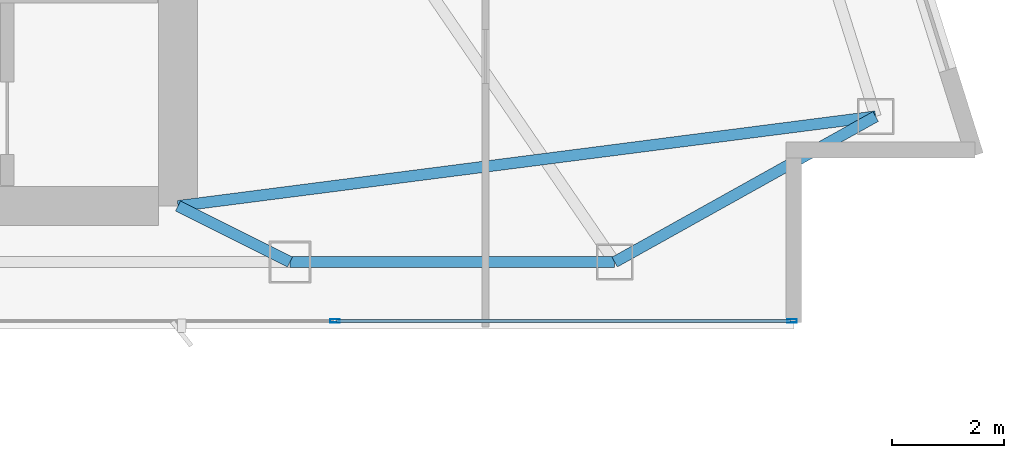
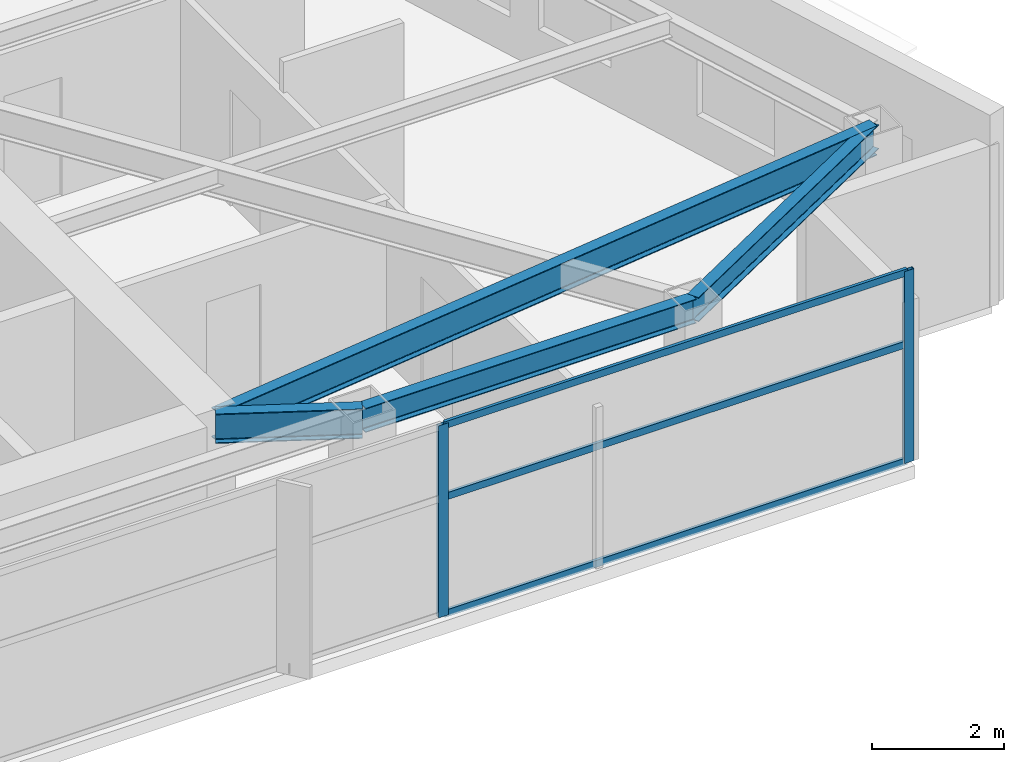
# One storey, part 14 of 29: 5 members, 4 beams, 1 element without a shape of its own.
"""IFC4 building model written with IfcOpenShell, lengths in metres."""

import ifcopenshell
import ifcopenshell.guid

model = None  # the IFC model being written
_history = None  # IfcOwnerHistory: only IFC2X3 demands one
_inside = {}  # id of a spatial element -> (the spatial element, [elements in it])
_under = {}  # id of a project, library or spatial element -> (it, [spatial elements below it])
_declared = {}  # id of a project -> (the project, [libraries it declares])
_typed = {}  # id of a type object -> (the type object, [elements of that type])
_made_of = {}  # id of a material, layer set ... -> (it, [elements and type objects made of it])


def new_model(schema):
    """Start an empty IFC model of exactly this schema.

    Asked for "IFC4X3", IfcOpenShell would pick the latest addendum, in which some entities
    have other attributes; the version numbers below select the first issue.
    IFC2X3 requires an IfcOwnerHistory on every rooted entity: one is made here for all.
    """
    global model, _history
    if schema == "IFC4X3":
        model = ifcopenshell.file(schema_version=(4, 3, 0, 0))
    else:
        model = ifcopenshell.file(schema=schema)
    _inside.clear()
    _under.clear()
    _declared.clear()
    _typed.clear()
    _made_of.clear()
    _history = None
    if model.schema == "IFC2X3":
        org = make("IfcOrganization", Name="unknown")
        user = make(
            "IfcPersonAndOrganization",
            ThePerson=make("IfcPerson", FamilyName="unknown"),
            TheOrganization=org,
        )
        app = make(
            "IfcApplication",
            ApplicationDeveloper=org,
            Version="unknown",
            ApplicationFullName="unknown",
            ApplicationIdentifier="unknown",
        )
        _history = make(
            "IfcOwnerHistory",
            OwningUser=user,
            OwningApplication=app,
            ChangeAction="ADDED",
            CreationDate=0,
        )
    return model


def make(cls, **values):
    """One entity of the class cls with the attributes given. An attribute that is None is left unset."""
    return model.create_entity(
        cls, **{name: value for name, value in values.items() if value is not None}
    )


def rooted(cls, **values):
    """An entity with a GlobalId (a new one), such as an element, a storey or a relation."""
    return make(cls, GlobalId=ifcopenshell.guid.new(), OwnerHistory=_history, **values)


def si_unit(unit_type, name, prefix=None):
    """IfcSIUnit, for example si_unit("LENGTHUNIT", "METRE", prefix="MILLI")."""
    return make("IfcSIUnit", UnitType=unit_type, Prefix=prefix, Name=name)


def assignment(units):
    """IfcUnitAssignment: the units of a project."""
    return None if units is None else make("IfcUnitAssignment", Units=units)


def point(xyz):
    """IfcCartesianPoint."""
    return None if xyz is None else make("IfcCartesianPoint", Coordinates=xyz)


def direction(xyz):
    """IfcDirection."""
    return None if xyz is None else make("IfcDirection", DirectionRatios=xyz)


def frame(location, z_axis=None, x_axis=None):
    """IfcAxis2Placement3D, a coordinate frame: its origin and axes. An axis left out is left unset."""
    return make(
        "IfcAxis2Placement3D",
        Location=point(location),
        Axis=direction(z_axis),
        RefDirection=direction(x_axis),
    )


def frame_2d(location, x_axis=None):
    """IfcAxis2Placement2D, a coordinate frame in the plane: its origin and x axis."""
    return make(
        "IfcAxis2Placement2D", Location=point(location), RefDirection=direction(x_axis)
    )


def origin():
    """The frame at (0, 0, 0) with its axes left unset."""
    return frame((0.0, 0.0, 0.0))


def origin_2d():
    """The frame at (0, 0) in the plane with its x axis left unset."""
    return frame_2d((0.0, 0.0))


def place(relative_to, where):
    """IfcLocalPlacement: puts the frame where relative to a parent placement (None: the world)."""
    return make(
        "IfcLocalPlacement", PlacementRelTo=relative_to, RelativePlacement=where
    )


def context(
    kind, dimensions, precision=None, world=None, true_north=None, identifier=None
):
    """IfcGeometricRepresentationContext, for example the 3D "Model" context."""
    return make(
        "IfcGeometricRepresentationContext",
        ContextIdentifier=identifier,
        ContextType=kind,
        CoordinateSpaceDimension=dimensions,
        Precision=precision,
        WorldCoordinateSystem=world,
        TrueNorth=true_north,
    )


def subcontext(parent, identifier, kind, view, scale=None):
    """IfcGeometricRepresentationSubContext, for example "Body" below "Model"."""
    return make(
        "IfcGeometricRepresentationSubContext",
        ContextIdentifier=identifier,
        ContextType=kind,
        ParentContext=parent,
        TargetScale=scale,
        TargetView=view,
    )


def project(units=None, contexts=None):
    """IfcProject with its units and contexts."""
    return rooted(
        "IfcProject",
        Name="project",
        RepresentationContexts=contexts,
        UnitsInContext=assignment(units),
    )


def spatial(cls, under=None, at=None, **own):
    """A site, building, storey or space (cls), placed at a placement, below another one or the project."""
    s = rooted(cls, ObjectPlacement=at, **own)
    if under is not None:
        _under.setdefault(under.id(), (under, []))[1].append(s)
    return s


def profile(cls, at=None, kind="AREA", **sizes):
    """A parametric profile (cls). Its sizes go by their IFC names, for example OverallWidth=200.0."""
    return make(cls, ProfileType=kind, Position=at, **sizes)


def hollow_rectangle(**sizes):
    """IfcRectangleHollowProfileDef."""
    return profile("IfcRectangleHollowProfileDef", **sizes)


def i_section(**sizes):
    """IfcIShapeProfileDef."""
    return profile("IfcIShapeProfileDef", **sizes)


def extrude(swept, where, along, depth):
    """IfcExtrudedAreaSolid: the profile swept, set in the frame where, extruded along a direction by depth."""
    return make(
        "IfcExtrudedAreaSolid",
        SweptArea=swept,
        Position=where,
        ExtrudedDirection=direction(along),
        Depth=depth,
    )


def shape(context_of_items, identifier, shape_type, items):
    """IfcShapeRepresentation: the items that make up one representation, for example the "Body"."""
    return make(
        "IfcShapeRepresentation",
        ContextOfItems=context_of_items,
        RepresentationIdentifier=identifier,
        RepresentationType=shape_type,
        Items=items,
    )


def material(Name=None, Category=None):
    """IfcMaterial."""
    return make("IfcMaterial", Name=Name, Category=Category)


def layer(
    of_material, thickness, ventilated=None, Name=None, Category=None, Priority=None
):
    """IfcMaterialLayer: one layer of a wall or slab, of a material (None: an air gap)."""
    return make(
        "IfcMaterialLayer",
        Material=of_material,
        LayerThickness=thickness,
        IsVentilated=ventilated,
        Name=Name,
        Category=Category,
        Priority=Priority,
    )


def layer_set(layers, Name=None):
    """IfcMaterialLayerSet."""
    return make("IfcMaterialLayerSet", MaterialLayers=layers, LayerSetName=Name)


def material_profile(
    of_material, cross_section, Name=None, Category=None, Priority=None
):
    """IfcMaterialProfile: a cross section and its material."""
    return make(
        "IfcMaterialProfile",
        Name=Name,
        Material=of_material,
        Profile=cross_section,
        Priority=Priority,
        Category=Category,
    )


def profile_set(profiles, Name=None, composite=None):
    """IfcMaterialProfileSet."""
    return make(
        "IfcMaterialProfileSet",
        Name=Name,
        MaterialProfiles=profiles,
        CompositeProfile=composite,
    )


def made_of(thing, what):
    """Note that an element or type object is made of a material, layer set ...; save() writes the relation."""
    if what is not None:
        _made_of.setdefault(what.id(), (what, []))[1].append(thing)
    return thing


def type_object(cls, material=None, **own):
    """A type object (cls), such as IfcWallType, which elements share."""
    return made_of(rooted(cls, **own), material)


def element(
    cls,
    number,
    at=None,
    inside=None,
    cuts=None,
    type_object=None,
    material=None,
    context=None,
    identifier="Body",
    shape_type=None,
    held_by="IfcProductDefinitionShape",
    body=None,
    shapes=None,
    **own,
):
    """One element of the class cls, such as IfcWall. Its Tag is "e" and its number.

    at: its placement. inside: the storey or other place that contains it. cuts: it is an
    opening in that element (IfcRelVoidsElement). A single representation is given by context,
    identifier, shape_type and body (its items); several are given by shapes. held_by: the class
    of the entity that holds the representations. save() writes the other relations.
    """
    e = rooted(cls, Tag="e%d" % number, ObjectPlacement=at, **own)
    if body is not None:
        shapes = [shape(context, identifier, shape_type, body)]
    if shapes is not None:
        e.Representation = make(held_by, Representations=shapes)
    if inside is not None:
        _inside.setdefault(inside.id(), (inside, []))[1].append(e)
    if cuts is not None:
        rooted(
            "IfcRelVoidsElement", RelatingBuildingElement=cuts, RelatedOpeningElement=e
        )
    if type_object is not None:
        _typed.setdefault(type_object.id(), (type_object, []))[1].append(e)
    return made_of(e, material)


def aggregate(whole, parts):
    """IfcRelAggregates: a whole, such as a stair, and the parts it consists of."""
    return rooted("IfcRelAggregates", RelatingObject=whole, RelatedObjects=parts)


def save(model, path):
    """Write the relations noted so far, then the file.

    IfcRelAggregates (storeys below a building ...), IfcRelContainedInSpatialStructure (elements
    in a storey), IfcRelDefinesByType, IfcRelAssociatesMaterial and IfcRelDeclares: one each for
    every whole, place, type object, material and project.
    """
    for whole, parts in _under.values():
        aggregate(whole, parts)
    for where, things in _inside.values():
        rooted(
            "IfcRelContainedInSpatialStructure",
            RelatedElements=things,
            RelatingStructure=where,
        )
    for kind, things in _typed.values():
        rooted("IfcRelDefinesByType", RelatedObjects=things, RelatingType=kind)
    for what, things in _made_of.values():
        rooted("IfcRelAssociatesMaterial", RelatedObjects=things, RelatingMaterial=what)
    for by, libraries in _declared.values():
        rooted("IfcRelDeclares", RelatingContext=by, RelatedDefinitions=libraries)
    model.write(path)


model = new_model("IFC4")

# Units and contexts
model_context = context("Model", 3, precision=1e-05, world=origin(), true_north=direction((0.0, 1.0)))
body_context = subcontext(model_context, "Body", "Model", "MODEL_VIEW")
ifc_project = project(units=[si_unit("LENGTHUNIT", "METRE"), si_unit("AREAUNIT", "SQUARE_METRE"), si_unit("VOLUMEUNIT", "CUBIC_METRE"), si_unit("PLANEANGLEUNIT", "RADIAN"), si_unit("MASSUNIT", "GRAM", prefix="KILO")], contexts=[model_context])

# Site, building, storey
site_placement = place(None, origin())
site = spatial("IfcSite", under=ifc_project, at=site_placement, CompositionType="ELEMENT")
building_placement = place(site_placement, origin())
building = spatial("IfcBuilding", under=site, at=building_placement, Name="Calvorn Quay Hotel", CompositionType="ELEMENT")
storey_placement = place(building_placement, frame((0.0, 0.0, 255.199951171875)))
storey = spatial("IfcBuildingStorey", under=building, at=storey_placement, Name="L63", CompositionType="ELEMENT", Elevation=255.199951171875)

# Beams
ifc_material_1 = material(Name="Steel Q355B", Category="steel")
ifc_material_profile_1 = material_profile(ifc_material_1, i_section(OverallWidth=0.199951171875, OverallDepth=0.550048828125, WebThickness=0.010009765625, FlangeThickness=0.01611328125, FilletRadius=0.01806640625, at=origin_2d()), Name="HN550x200x10x16")
ifc_profile_set_1 = profile_set([ifc_material_profile_1], Name="Steel Q355B")
beam_type_1 = type_object("IfcBeamType", Name="BM-GIRD-UPP", PredefinedType="BEAM", material=ifc_profile_set_1)
beam_1_placement = place(storey_placement, frame((34.39990234375, 3.60009765625, 3.26513671875), z_axis=(-0.894427191, 0.4472135955, 0.0), x_axis=(-0.4472135955, -0.894427191, 0.0)))
element("IfcBeam", 1, at=beam_1_placement, inside=storey, type_object=beam_type_1, Name="Beam BG-L63-S3", PredefinedType="BEAM", context=body_context, shape_type="SweptSolid", body=[
    extrude(i_section(OverallWidth=0.199951171875, OverallDepth=0.550048828125, WebThickness=0.010009765625, FlangeThickness=0.01611328125, FilletRadius=0.01806640625, at=origin_2d()), origin(), (0.0, 0.0, 1.0), 2.236083984375),
])
beam_2_placement = place(storey_placement, frame((32.39990234375, 4.60009765625, 3.26513671875), z_axis=(0.991858897847, 0.12734177147, 0.0), x_axis=(-0.12734177147, 0.991858897847, 0.0)))
element("IfcBeam", 2, at=beam_2_placement, inside=storey, type_object=beam_type_1, Name="Beam BG-L63-E1", PredefinedType="BEAM", context=body_context, shape_type="SweptSolid", body=[
    extrude(i_section(OverallWidth=0.199951171875, OverallDepth=0.550048828125, WebThickness=0.010009765625, FlangeThickness=0.01611328125, FilletRadius=0.01806640625, at=origin_2d()), origin(), (0.0, 0.0, 1.0), 12.5634765625),
])
ifc_material_2 = material(Name="Steel Q355B", Category="steel")
ifc_material_profile_2 = material_profile(ifc_material_2, i_section(OverallWidth=0.199951171875, OverallDepth=0.449951171875, WebThickness=0.009033203125, FlangeThickness=0.013916015625, FilletRadius=0.01611328125, at=origin_2d()), Name="HN450x200x9x14")
ifc_profile_set_2 = profile_set([ifc_material_profile_2], Name="Steel Q355B")
beam_type_2 = type_object("IfcBeamType", Name="BM-SPANDREL-Z3", PredefinedType="SPANDREL", material=ifc_profile_set_2)
beam_3_placement = place(storey_placement, frame((34.39990234375, 3.60009765625, 3.31494140625), z_axis=(1.0, 0.0, 0.0), x_axis=(0.0, 1.0, 0.0)))
element("IfcBeam", 3, at=beam_3_placement, inside=storey, type_object=beam_type_2, Name="Beam BSP-L63-S4", PredefinedType="SPANDREL", context=body_context, shape_type="SweptSolid", body=[
    extrude(i_section(OverallWidth=0.199951171875, OverallDepth=0.449951171875, WebThickness=0.009033203125, FlangeThickness=0.013916015625, FilletRadius=0.01611328125, at=origin_2d()), origin(), (0.0, 0.0, 1.0), 5.800048828125),
])
beam_4_placement = place(storey_placement, frame((40.199951171875, 3.60009765625, 3.31494140625), z_axis=(0.873333936204, 0.487121992805, 0.0), x_axis=(-0.487121992805, 0.873333936204, 0.0)))
element("IfcBeam", 4, at=beam_4_placement, inside=storey, type_object=beam_type_2, Name="Beam BSP-L63-S5", PredefinedType="SPANDREL", context=body_context, shape_type="SweptSolid", body=[
    extrude(i_section(OverallWidth=0.199951171875, OverallDepth=0.449951171875, WebThickness=0.009033203125, FlangeThickness=0.013916015625, FilletRadius=0.01611328125, at=origin_2d()), origin(), (0.0, 0.0, 1.0), 5.337158203125),
])

# Curtain wall, members
ifc_material_3 = material(Name="Champagne Bronze Anodised Aluminium and Low-E Glass", Category="aluminium")
ifc_layer = layer(ifc_material_3, 0.219970703125)
ifc_layer_set = layer_set([ifc_layer], Name="CW-SYS-Z4")
curtain_wall_type = type_object("IfcCurtainWallType", Name="CW-SYS-Z4", PredefinedType="NOTDEFINED", material=ifc_layer_set)
curtain_wall_placement = place(storey_placement, origin())
curtain_wall = element("IfcCurtainWall", 5, at=curtain_wall_placement, inside=storey, type_object=curtain_wall_type, Name="Tower South Waterfront Curtain Wall (L63)", PredefinedType="NOTDEFINED")
ifc_material_4 = material(Name="Champagne Bronze Anodised Aluminium 6063-T6", Category="aluminium")
ifc_material_profile_3 = material_profile(ifc_material_4, hollow_rectangle(XDim=0.06494140625, YDim=0.169921875, WallThickness=0.00341796875, at=origin_2d()), Name="ALU-M170x65x3.5")
ifc_profile_set_3 = profile_set([ifc_material_profile_3], Name="Champagne Bronze Anodised Aluminium 6063-T6")
member_type_1 = type_object("IfcMemberType", Name="CW-SYS-Z4-MUL", PredefinedType="MULLION", material=ifc_profile_set_3)
member_1_placement = place(storey_placement, frame((35.199951171875, 2.550048828125, 0.0), z_axis=(0.0, 0.0, 1.0), x_axis=(0.0, 1.0, 0.0)))
member_1 = element("IfcMember", 6, at=member_1_placement, type_object=member_type_1, Name="CW-L63-S mullion 4", PredefinedType="MULLION", context=body_context, shape_type="SweptSolid", body=[
    extrude(hollow_rectangle(XDim=0.06494140625, YDim=0.169921875, WallThickness=0.00341796875, at=origin_2d()), origin(), (0.0, 0.0, 1.0), 3.56005859375),
])
member_2_placement = place(storey_placement, frame((43.3701171875, 2.550048828125, 0.0), z_axis=(0.0, 0.0, 1.0), x_axis=(0.0, 1.0, 0.0)))
member_2 = element("IfcMember", 7, at=member_2_placement, type_object=member_type_1, Name="CW-L63-S mullion 5", PredefinedType="MULLION", context=body_context, shape_type="SweptSolid", body=[
    extrude(hollow_rectangle(XDim=0.06494140625, YDim=0.169921875, WallThickness=0.00341796875, at=origin_2d()), origin(), (0.0, 0.0, 1.0), 3.56005859375),
])
ifc_material_5 = material(Name="Champagne Bronze Anodised Aluminium 6063-T6", Category="aluminium")
ifc_material_profile_4 = material_profile(ifc_material_5, hollow_rectangle(XDim=0.054931640625, YDim=0.1298828125, WallThickness=0.003173828125, at=origin_2d()), Name="ALU-T130x55x3.2")
ifc_profile_set_4 = profile_set([ifc_material_profile_4], Name="Champagne Bronze Anodised Aluminium 6063-T6")
member_type_2 = type_object("IfcMemberType", Name="CW-SYS-Z4-TRN", PredefinedType="USERDEFINED", material=ifc_profile_set_4)
member_3_placement = place(storey_placement, frame((35.22998046875, 2.550048828125, 0.030029296875), z_axis=(1.0, 0.0, 0.0), x_axis=(0.0, 1.0, 0.0)))
member_3 = element("IfcMember", 8, at=member_3_placement, type_object=member_type_2, Name="CW-L63-S transom 4.1", ObjectType="TRANSOM", PredefinedType="USERDEFINED", context=body_context, shape_type="SweptSolid", body=[
    extrude(hollow_rectangle(XDim=0.054931640625, YDim=0.1298828125, WallThickness=0.003173828125, at=origin_2d()), origin(), (0.0, 0.0, 1.0), 8.110107421875),
])
member_4_placement = place(storey_placement, frame((35.22998046875, 2.550048828125, 2.199951171875), z_axis=(1.0, 0.0, 0.0), x_axis=(0.0, 1.0, 0.0)))
member_4 = element("IfcMember", 9, at=member_4_placement, type_object=member_type_2, Name="CW-L63-S transom 4.2", ObjectType="TRANSOM", PredefinedType="USERDEFINED", context=body_context, shape_type="SweptSolid", body=[
    extrude(hollow_rectangle(XDim=0.054931640625, YDim=0.1298828125, WallThickness=0.003173828125, at=origin_2d()), origin(), (0.0, 0.0, 1.0), 8.110107421875),
])
member_5_placement = place(storey_placement, frame((35.22998046875, 2.550048828125, 3.530029296875), z_axis=(1.0, 0.0, 0.0), x_axis=(0.0, 1.0, 0.0)))
member_5 = element("IfcMember", 10, at=member_5_placement, type_object=member_type_2, Name="CW-L63-S transom 4.3", ObjectType="TRANSOM", PredefinedType="USERDEFINED", context=body_context, shape_type="SweptSolid", body=[
    extrude(hollow_rectangle(XDim=0.054931640625, YDim=0.1298828125, WallThickness=0.003173828125, at=origin_2d()), origin(), (0.0, 0.0, 1.0), 8.110107421875),
])
aggregate(curtain_wall, [member_1, member_2, member_3, member_4, member_5])

save(model, "model.ifc")
